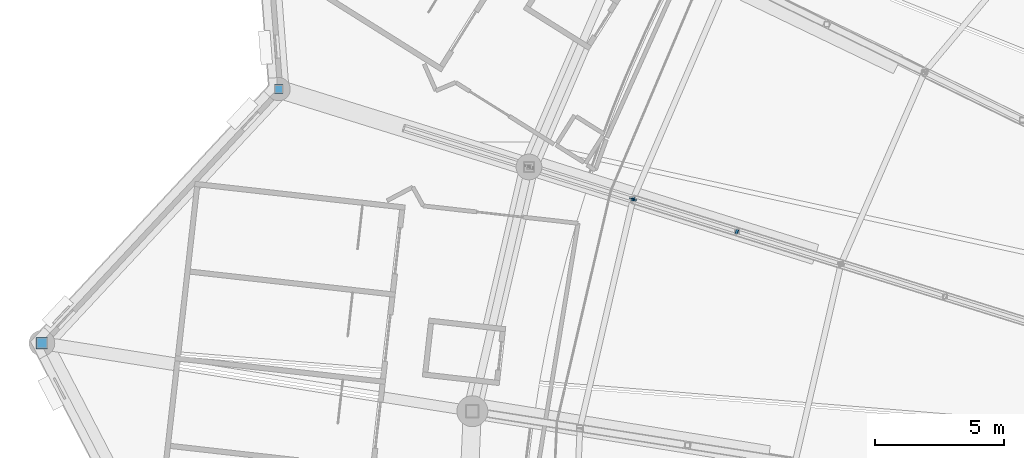
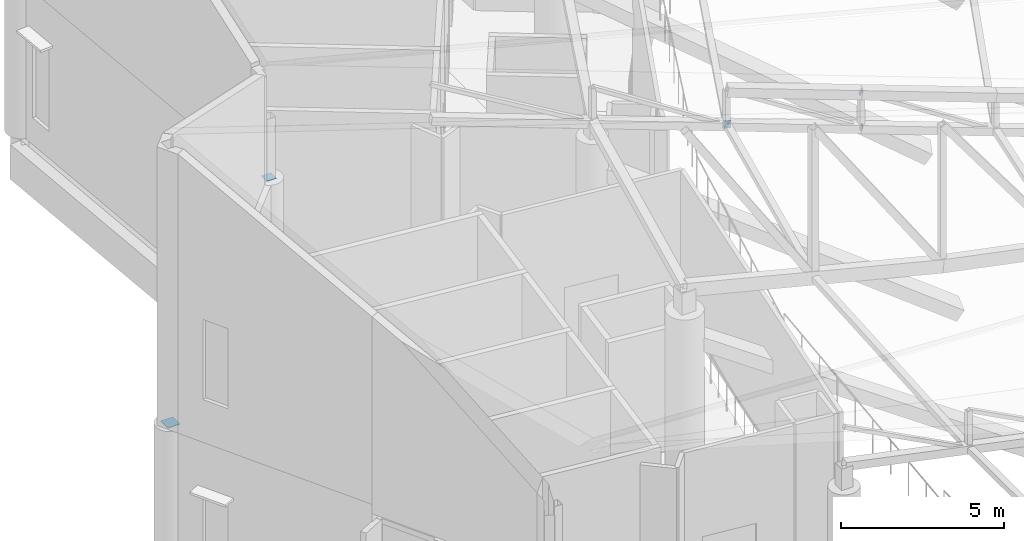
# One storey, part 313 of 344: 7 discrete accessories.
"""IFC4 building model written with IfcOpenShell, lengths in metres."""

from ifc_helpers import new_model, si_unit, direction, frame, origin, origin_2d, place, context, subcontext, project, spatial, rectangle, extrude, material, material_profile, profile_set, type_object, element, save


model = new_model("IFC4")

# Units and contexts
model_context = context("Model", 3, precision=1e-05, world=origin(), true_north=direction((0.0, 1.0)))
body_context = subcontext(model_context, "Body", "Model", "MODEL_VIEW")
ifc_project = project(units=[si_unit("LENGTHUNIT", "METRE"), si_unit("AREAUNIT", "SQUARE_METRE"), si_unit("VOLUMEUNIT", "CUBIC_METRE"), si_unit("PLANEANGLEUNIT", "RADIAN"), si_unit("MASSUNIT", "GRAM", prefix="KILO")], contexts=[model_context])

# Site, building, storey
site_placement = place(None, origin())
site = spatial("IfcSite", under=ifc_project, at=site_placement, CompositionType="ELEMENT")
building_placement = place(site_placement, origin())
building = spatial("IfcBuilding", under=site, at=building_placement, Name="Meseta Stadium", CompositionType="ELEMENT")
storey_placement = place(building_placement, frame((0.0, 0.0, 24.0)))
storey = spatial("IfcBuildingStorey", under=building, at=storey_placement, Name="L04", CompositionType="ELEMENT", Elevation=24.0)

# Discrete accessories
ifc_material_1 = material(Name="Steel S355", Category="steel")
ifc_material_profile_1 = material_profile(ifc_material_1, rectangle(XDim=0.179931640625, YDim=0.179931640625, at=origin_2d()), Name="PL 180x180")
ifc_profile_set_1 = profile_set([ifc_material_profile_1], Name="Steel S355")
discrete_accessory_type_1 = type_object("IfcDiscreteAccessoryType", Name="End plate 180x180x20", PredefinedType="ANCHORPLATE", material=ifc_profile_set_1)
for number, where, z_axis, x_axis, name in (
    (1, (-74.105712890625, 60.526123046875, 6.302978515625), (-0.856465372407, 0.269174831328, 0.440467905809), (-0.29982659674, -0.953993716901, 0.0), "End plate of ROOF TRUSS RT-27 diagonal"),
    (2, (-74.08837890625, 60.520751953125, 4.994384765625), (-0.864184479619, 0.267775472558, 0.426006433615), (-0.295976029358, -0.955195367475, 0.0), "End plate of ROOF TRUSS RT-27 diagonal"),
    (3, (-78.1201171875, 61.774658203125, 5.74072265625), (-0.864184479619, 0.267775472558, 0.426006433615), (-0.295976029358, -0.955195367475, 0.0), "End plate of ROOF TRUSS RT-27 diagonal"),
):
    element("IfcDiscreteAccessory", number, at=place(storey_placement, frame(where, z_axis=z_axis, x_axis=x_axis)), inside=storey, type_object=discrete_accessory_type_1, Name=name, PredefinedType="ANCHORPLATE", context=body_context, shape_type="SweptSolid", body=[
        extrude(rectangle(XDim=0.179931640625, YDim=0.179931640625, at=origin_2d()), origin(), (0.0, 0.0, 1.0), 0.02001953125),
    ])
ifc_material_2 = material(Name="Steel S355", Category="steel")
ifc_material_profile_2 = material_profile(ifc_material_2, rectangle(XDim=0.260009765625, YDim=0.260009765625, at=origin_2d()), Name="PL 260x260")
ifc_profile_set_2 = profile_set([ifc_material_profile_2], Name="Steel S355")
discrete_accessory_type_2 = type_object("IfcDiscreteAccessoryType", Name="End plate 260x260x20", PredefinedType="ANCHORPLATE", material=ifc_profile_set_2)
discrete_accessory_1_placement = place(storey_placement, frame((-78.137451171875, 61.780029296875, 5.749267578125), z_axis=(-0.392173354426, -0.919156299436, -0.036766251977), x_axis=(0.919778168081, -0.392438685048, 0.0)))
element("IfcDiscreteAccessory", 4, at=discrete_accessory_1_placement, inside=storey, type_object=discrete_accessory_type_2, Name="End plate of ROOF TRUSS STRUT RT-26/27", PredefinedType="ANCHORPLATE", context=body_context, shape_type="SweptSolid", body=[
    extrude(rectangle(XDim=0.260009765625, YDim=0.260009765625, at=origin_2d()), origin(), (0.0, 0.0, 1.0), 0.02001953125),
])
discrete_accessory_2_placement = place(storey_placement, frame((-78.1328125, 61.79931640625, 5.74853515625), z_axis=(-0.233679181281, -0.971613437957, 0.036896712834), x_axis=(0.972275475429, -0.233838405483, 0.0)))
element("IfcDiscreteAccessory", 5, at=discrete_accessory_2_placement, inside=storey, type_object=discrete_accessory_type_2, Name="End plate of ROOF TRUSS STRUT RT-27/28", PredefinedType="ANCHORPLATE", context=body_context, shape_type="SweptSolid", body=[
    extrude(rectangle(XDim=0.260009765625, YDim=0.260009765625, at=origin_2d()), origin(), (0.0, 0.0, 1.0), 0.019775390625),
])
ifc_material_3 = material(Name="Steel S355", Category="steel")
ifc_material_profile_3 = material_profile(ifc_material_3, rectangle(XDim=0.340087890625, YDim=0.340087890625, at=origin_2d()), Name="PL 340x340")
ifc_profile_set_3 = profile_set([ifc_material_profile_3], Name="Steel S355")
discrete_accessory_type_3 = type_object("IfcDiscreteAccessoryType", Name="End plate 340x340x20", PredefinedType="ANCHORPLATE", material=ifc_profile_set_3)
discrete_accessory_3_placement = place(storey_placement, frame((-91.872802734375, 66.051513671875, 5.97998046875), z_axis=(0.0, 0.0, 1.0), x_axis=(1.0, 0.0, 0.0)))
element("IfcDiscreteAccessory", 6, at=discrete_accessory_3_placement, inside=storey, type_object=discrete_accessory_type_3, Name="End plate of ROOF RIM POST RT-27", PredefinedType="ANCHORPLATE", context=body_context, shape_type="SweptSolid", body=[
    extrude(rectangle(XDim=0.340087890625, YDim=0.340087890625, at=origin_2d()), origin(), (0.0, 0.0, 1.0), 0.02001953125),
])
ifc_material_4 = material(Name="Steel S355", Category="steel")
ifc_material_profile_4 = material_profile(ifc_material_4, rectangle(XDim=0.43994140625, YDim=0.43994140625, at=origin_2d()), Name="PL 440x440")
ifc_profile_set_4 = profile_set([ifc_material_profile_4], Name="Steel S355")
discrete_accessory_type_4 = type_object("IfcDiscreteAccessoryType", Name="End plate 440x440x20", PredefinedType="ANCHORPLATE", material=ifc_profile_set_4)
discrete_accessory_4_placement = place(storey_placement, frame((-101.0517578125, 56.202880859375, 5.97998046875), z_axis=(0.0, 0.0, 1.0), x_axis=(1.0, 0.0, 0.0)))
element("IfcDiscreteAccessory", 7, at=discrete_accessory_4_placement, inside=storey, type_object=discrete_accessory_type_4, Name="End plate of ROOF RIM POST RT-28", PredefinedType="ANCHORPLATE", context=body_context, shape_type="SweptSolid", body=[
    extrude(rectangle(XDim=0.43994140625, YDim=0.43994140625, at=origin_2d()), origin(), (0.0, 0.0, 1.0), 0.02001953125),
])

save(model, "model.ifc")
